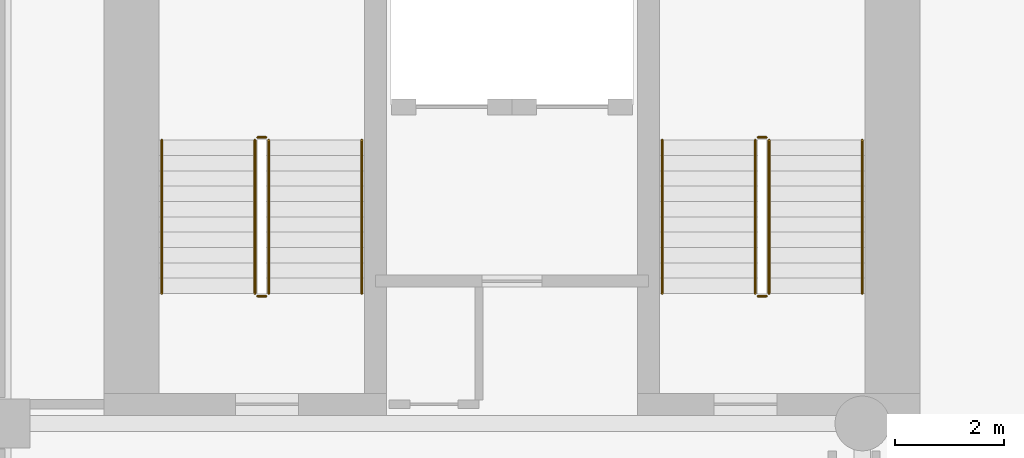
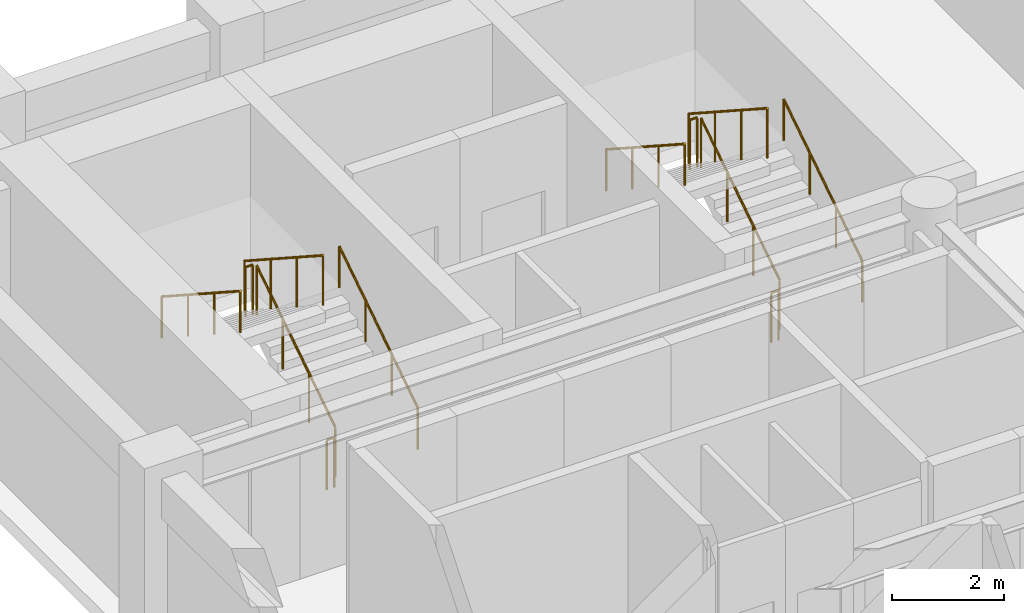
# One storey, part 7 of 8: 12 railings.
"""IFC4 building model written with IfcOpenShell, lengths in metres."""

from ifc_helpers import new_model, si_unit, direction, frame, origin, origin_2d, place, context, subcontext, project, spatial, circle, extrude, material, type_object, element, save


model = new_model("IFC4")

# Units and contexts
model_context = context("Model", 3, precision=1e-05, world=origin(), true_north=direction((0.0, 1.0)))
body_context = subcontext(model_context, "Body", "Model", "MODEL_VIEW")
ifc_project = project(units=[si_unit("LENGTHUNIT", "METRE"), si_unit("AREAUNIT", "SQUARE_METRE"), si_unit("VOLUMEUNIT", "CUBIC_METRE"), si_unit("PLANEANGLEUNIT", "RADIAN"), si_unit("MASSUNIT", "GRAM", prefix="KILO")], contexts=[model_context])

# Site, building, storey
site_placement = place(None, origin())
site = spatial("IfcSite", under=ifc_project, at=site_placement, CompositionType="ELEMENT")
building_placement = place(site_placement, origin())
building = spatial("IfcBuilding", under=site, at=building_placement, Name="Sulina Concourse Tower", CompositionType="ELEMENT")
storey_placement = place(building_placement, frame((0.0, 0.0, 78.60009765625)))
storey = spatial("IfcBuildingStorey", under=building, at=storey_placement, Name="L19", CompositionType="ELEMENT", Elevation=78.60009765625)

# Railings
ifc_material_1 = material(Name="Galvanised steel railing", Category="steel")
railing_type_1 = type_object("IfcRailingType", Name="Core Stair Steel Guardrail 1150mm", PredefinedType="GUARDRAIL", material=ifc_material_1)
railing_1_placement = place(storey_placement, frame((5.554931640625, 36.375, 0.181640625)))
element("IfcRailing", 1, at=railing_1_placement, inside=storey, type_object=railing_type_1, Name="L19 ST-1 stair guard 1", PredefinedType="GUARDRAIL", context=body_context, shape_type="SweptSolid", body=[
    extrude(circle(Radius=0.02392578125, at=origin_2d()), frame((0.0, 0.0, 1.076171875), z_axis=(0.0, 0.838672427954, 0.544636170843), x_axis=(-1.0, 0.0, 0.0)), (0.0, 0.0, 1.0), 3.338623046875),
    extrude(circle(Radius=0.02099609375, at=origin_2d()), origin(), (0.0, 0.0, 1.0), 1.052001953125),
    extrude(circle(Radius=0.02099609375, at=origin_2d()), frame((0.0, 0.933349609375, 0.606201171875)), (0.0, 0.0, 1.0), 1.052001953125),
    extrude(circle(Radius=0.02099609375, at=origin_2d()), frame((0.0, 1.86669921875, 1.212158203125)), (0.0, 0.0, 1.0), 1.052001953125),
    extrude(circle(Radius=0.02099609375, at=origin_2d()), frame((0.0, 2.800048828125, 1.818359375)), (0.0, 0.0, 1.0), 1.052001953125),
])
railing_2_placement = place(storey_placement, frame((5.5048828125, 39.22509765625, 2.0)))
element("IfcRailing", 2, at=railing_2_placement, inside=storey, type_object=railing_type_1, Name="L19 ST-1 stair guard 2", PredefinedType="GUARDRAIL", context=body_context, shape_type="SweptSolid", body=[
    extrude(circle(Radius=0.02392578125, at=origin_2d()), frame((0.0, 0.0, 1.076171875), z_axis=(-1.0, 0.0, 0.0), x_axis=(0.0, -1.0, 0.0)), (0.0, 0.0, 1.0), 0.14990234375),
    extrude(circle(Radius=0.02099609375, at=origin_2d()), origin(), (0.0, 0.0, 1.0), 1.052001953125),
    extrude(circle(Radius=0.02099609375, at=origin_2d()), frame((-0.14990234375, 0.0, 0.0)), (0.0, 0.0, 1.0), 1.052001953125),
])
railing_3_placement = place(storey_placement, frame((5.304931640625, 39.175048828125, 2.181640625)))
element("IfcRailing", 3, at=railing_3_placement, inside=storey, type_object=railing_type_1, Name="L19 ST-1 stair guard 3", PredefinedType="GUARDRAIL", context=body_context, shape_type="SweptSolid", body=[
    extrude(circle(Radius=0.02392578125, at=origin_2d()), frame((0.0, 0.0, 1.076171875), z_axis=(0.0, -0.838672427954, 0.544636170843), x_axis=(1.0, 0.0, 0.0)), (0.0, 0.0, 1.0), 3.338623046875),
    extrude(circle(Radius=0.02099609375, at=origin_2d()), origin(), (0.0, 0.0, 1.0), 1.052001953125),
    extrude(circle(Radius=0.02099609375, at=origin_2d()), frame((0.0, -0.933349609375, 0.606201171875)), (0.0, 0.0, 1.0), 1.052001953125),
    extrude(circle(Radius=0.02099609375, at=origin_2d()), frame((0.0, -1.86669921875, 1.212158203125)), (0.0, 0.0, 1.0), 1.052001953125),
    extrude(circle(Radius=0.02099609375, at=origin_2d()), frame((0.0, -2.800048828125, 1.818359375)), (0.0, 0.0, 1.0), 1.052001953125),
])
railing_4_placement = place(storey_placement, frame((5.5048828125, 36.324951171875, 0.0)))
element("IfcRailing", 4, at=railing_4_placement, inside=storey, type_object=railing_type_1, Name="L19 ST-1 stair guard 4", PredefinedType="GUARDRAIL", context=body_context, shape_type="SweptSolid", body=[
    extrude(circle(Radius=0.02392578125, at=origin_2d()), frame((0.0, 0.0, 1.076171875), z_axis=(-1.0, 0.0, 0.0), x_axis=(0.0, -1.0, 0.0)), (0.0, 0.0, 1.0), 0.14990234375),
    extrude(circle(Radius=0.02099609375, at=origin_2d()), origin(), (0.0, 0.0, 1.0), 1.052001953125),
    extrude(circle(Radius=0.02099609375, at=origin_2d()), frame((-0.14990234375, 0.0, 0.0)), (0.0, 0.0, 1.0), 1.052001953125),
])
railing_5_placement = place(storey_placement, frame((14.695068359375, 36.375, 0.181640625)))
element("IfcRailing", 5, at=railing_5_placement, inside=storey, type_object=railing_type_1, Name="L19 ST-2 stair guard 1", PredefinedType="GUARDRAIL", context=body_context, shape_type="SweptSolid", body=[
    extrude(circle(Radius=0.02392578125, at=origin_2d()), frame((0.0, 0.0, 1.076171875), z_axis=(0.0, 0.838672427954, 0.544636170843), x_axis=(-1.0, 0.0, 0.0)), (0.0, 0.0, 1.0), 3.338623046875),
    extrude(circle(Radius=0.02099609375, at=origin_2d()), origin(), (0.0, 0.0, 1.0), 1.052001953125),
    extrude(circle(Radius=0.02099609375, at=origin_2d()), frame((0.0, 0.933349609375, 0.606201171875)), (0.0, 0.0, 1.0), 1.052001953125),
    extrude(circle(Radius=0.02099609375, at=origin_2d()), frame((0.0, 1.86669921875, 1.212158203125)), (0.0, 0.0, 1.0), 1.052001953125),
    extrude(circle(Radius=0.02099609375, at=origin_2d()), frame((0.0, 2.800048828125, 1.818359375)), (0.0, 0.0, 1.0), 1.052001953125),
])
railing_6_placement = place(storey_placement, frame((14.64501953125, 39.22509765625, 2.0)))
element("IfcRailing", 6, at=railing_6_placement, inside=storey, type_object=railing_type_1, Name="L19 ST-2 stair guard 2", PredefinedType="GUARDRAIL", context=body_context, shape_type="SweptSolid", body=[
    extrude(circle(Radius=0.02392578125, at=origin_2d()), frame((0.0, 0.0, 1.076171875), z_axis=(-1.0, 0.0, 0.0), x_axis=(0.0, -1.0, 0.0)), (0.0, 0.0, 1.0), 0.14990234375),
    extrude(circle(Radius=0.02099609375, at=origin_2d()), origin(), (0.0, 0.0, 1.0), 1.052001953125),
    extrude(circle(Radius=0.02099609375, at=origin_2d()), frame((-0.14990234375, 0.0, 0.0)), (0.0, 0.0, 1.0), 1.052001953125),
])
railing_7_placement = place(storey_placement, frame((14.445068359375, 39.175048828125, 2.181640625)))
element("IfcRailing", 7, at=railing_7_placement, inside=storey, type_object=railing_type_1, Name="L19 ST-2 stair guard 3", PredefinedType="GUARDRAIL", context=body_context, shape_type="SweptSolid", body=[
    extrude(circle(Radius=0.02392578125, at=origin_2d()), frame((0.0, 0.0, 1.076171875), z_axis=(0.0, -0.838672427954, 0.544636170843), x_axis=(1.0, 0.0, 0.0)), (0.0, 0.0, 1.0), 3.338623046875),
    extrude(circle(Radius=0.02099609375, at=origin_2d()), origin(), (0.0, 0.0, 1.0), 1.052001953125),
    extrude(circle(Radius=0.02099609375, at=origin_2d()), frame((0.0, -0.933349609375, 0.606201171875)), (0.0, 0.0, 1.0), 1.052001953125),
    extrude(circle(Radius=0.02099609375, at=origin_2d()), frame((0.0, -1.86669921875, 1.212158203125)), (0.0, 0.0, 1.0), 1.052001953125),
    extrude(circle(Radius=0.02099609375, at=origin_2d()), frame((0.0, -2.800048828125, 1.818359375)), (0.0, 0.0, 1.0), 1.052001953125),
])
railing_8_placement = place(storey_placement, frame((14.64501953125, 36.324951171875, 0.0)))
element("IfcRailing", 8, at=railing_8_placement, inside=storey, type_object=railing_type_1, Name="L19 ST-2 stair guard 4", PredefinedType="GUARDRAIL", context=body_context, shape_type="SweptSolid", body=[
    extrude(circle(Radius=0.02392578125, at=origin_2d()), frame((0.0, 0.0, 1.076171875), z_axis=(-1.0, 0.0, 0.0), x_axis=(0.0, -1.0, 0.0)), (0.0, 0.0, 1.0), 0.14990234375),
    extrude(circle(Radius=0.02099609375, at=origin_2d()), origin(), (0.0, 0.0, 1.0), 1.052001953125),
    extrude(circle(Radius=0.02099609375, at=origin_2d()), frame((-0.14990234375, 0.0, 0.0)), (0.0, 0.0, 1.0), 1.052001953125),
])
ifc_material_2 = material(Name="Galvanised steel railing", Category="steel")
railing_type_2 = type_object("IfcRailingType", Name="Stair Wall Steel Handrail 920mm", PredefinedType="HANDRAIL", material=ifc_material_2)
railing_9_placement = place(storey_placement, frame((7.2548828125, 36.375, 0.181640625)))
element("IfcRailing", 9, at=railing_9_placement, inside=storey, type_object=railing_type_2, Name="L19 ST-1 stair handrail 1", PredefinedType="HANDRAIL", context=body_context, shape_type="SweptSolid", body=[
    extrude(circle(Radius=0.02392578125, at=origin_2d()), frame((0.0, 0.0, 0.89599609375), z_axis=(0.0, 0.838672427954, 0.544636170843), x_axis=(-1.0, 0.0, 0.0)), (0.0, 0.0, 1.0), 3.338623046875),
    extrude(circle(Radius=0.02099609375, at=origin_2d()), origin(), (0.0, 0.0, 1.0), 0.871826171875),
    extrude(circle(Radius=0.02099609375, at=origin_2d()), frame((0.0, 0.933349609375, 0.606201171875)), (0.0, 0.0, 1.0), 0.871826171875),
    extrude(circle(Radius=0.02099609375, at=origin_2d()), frame((0.0, 1.86669921875, 1.212158203125)), (0.0, 0.0, 1.0), 0.871826171875),
    extrude(circle(Radius=0.02099609375, at=origin_2d()), frame((0.0, 2.800048828125, 1.818359375)), (0.0, 0.0, 1.0), 0.871826171875),
])
railing_10_placement = place(storey_placement, frame((3.60498046875, 39.175048828125, 2.181640625)))
element("IfcRailing", 10, at=railing_10_placement, inside=storey, type_object=railing_type_2, Name="L19 ST-1 stair handrail 2", PredefinedType="HANDRAIL", context=body_context, shape_type="SweptSolid", body=[
    extrude(circle(Radius=0.02392578125, at=origin_2d()), frame((0.0, 0.0, 0.89599609375), z_axis=(0.0, -0.838672427954, 0.544636170843), x_axis=(1.0, 0.0, 0.0)), (0.0, 0.0, 1.0), 3.338623046875),
    extrude(circle(Radius=0.02099609375, at=origin_2d()), origin(), (0.0, 0.0, 1.0), 0.871826171875),
    extrude(circle(Radius=0.02099609375, at=origin_2d()), frame((0.0, -0.933349609375, 0.606201171875)), (0.0, 0.0, 1.0), 0.871826171875),
    extrude(circle(Radius=0.02099609375, at=origin_2d()), frame((0.0, -1.86669921875, 1.212158203125)), (0.0, 0.0, 1.0), 0.871826171875),
    extrude(circle(Radius=0.02099609375, at=origin_2d()), frame((0.0, -2.800048828125, 1.818359375)), (0.0, 0.0, 1.0), 0.871826171875),
])
railing_11_placement = place(storey_placement, frame((16.39501953125, 36.375, 0.181640625)))
element("IfcRailing", 11, at=railing_11_placement, inside=storey, type_object=railing_type_2, Name="L19 ST-2 stair handrail 1", PredefinedType="HANDRAIL", context=body_context, shape_type="SweptSolid", body=[
    extrude(circle(Radius=0.02392578125, at=origin_2d()), frame((0.0, 0.0, 0.89599609375), z_axis=(0.0, 0.838672427954, 0.544636170843), x_axis=(-1.0, 0.0, 0.0)), (0.0, 0.0, 1.0), 3.338623046875),
    extrude(circle(Radius=0.02099609375, at=origin_2d()), origin(), (0.0, 0.0, 1.0), 0.871826171875),
    extrude(circle(Radius=0.02099609375, at=origin_2d()), frame((0.0, 0.933349609375, 0.606201171875)), (0.0, 0.0, 1.0), 0.871826171875),
    extrude(circle(Radius=0.02099609375, at=origin_2d()), frame((0.0, 1.86669921875, 1.212158203125)), (0.0, 0.0, 1.0), 0.871826171875),
    extrude(circle(Radius=0.02099609375, at=origin_2d()), frame((0.0, 2.800048828125, 1.818359375)), (0.0, 0.0, 1.0), 0.871826171875),
])
railing_12_placement = place(storey_placement, frame((12.7451171875, 39.175048828125, 2.181640625)))
element("IfcRailing", 12, at=railing_12_placement, inside=storey, type_object=railing_type_2, Name="L19 ST-2 stair handrail 2", PredefinedType="HANDRAIL", context=body_context, shape_type="SweptSolid", body=[
    extrude(circle(Radius=0.02392578125, at=origin_2d()), frame((0.0, 0.0, 0.89599609375), z_axis=(0.0, -0.838672427954, 0.544636170843), x_axis=(1.0, 0.0, 0.0)), (0.0, 0.0, 1.0), 3.338623046875),
    extrude(circle(Radius=0.02099609375, at=origin_2d()), origin(), (0.0, 0.0, 1.0), 0.871826171875),
    extrude(circle(Radius=0.02099609375, at=origin_2d()), frame((0.0, -0.933349609375, 0.606201171875)), (0.0, 0.0, 1.0), 0.871826171875),
    extrude(circle(Radius=0.02099609375, at=origin_2d()), frame((0.0, -1.86669921875, 1.212158203125)), (0.0, 0.0, 1.0), 0.871826171875),
    extrude(circle(Radius=0.02099609375, at=origin_2d()), frame((0.0, -2.800048828125, 1.818359375)), (0.0, 0.0, 1.0), 0.871826171875),
])

save(model, "model.ifc")
